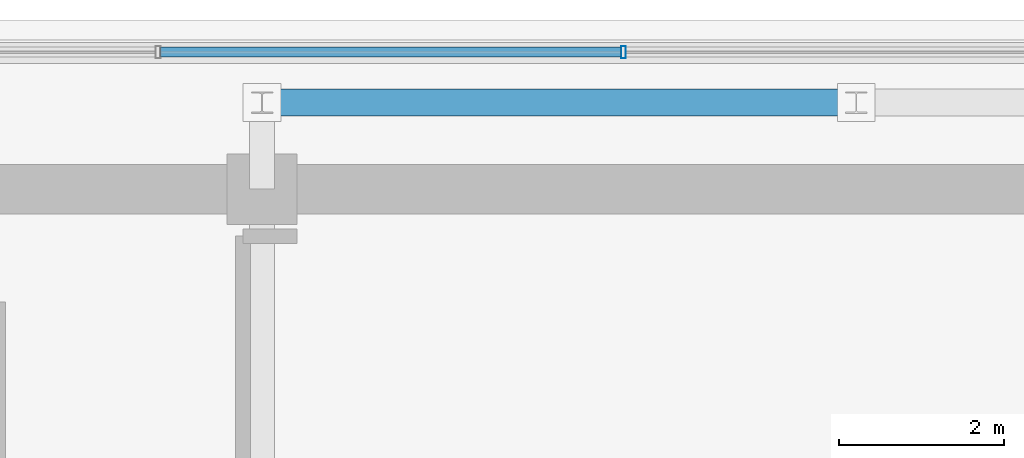
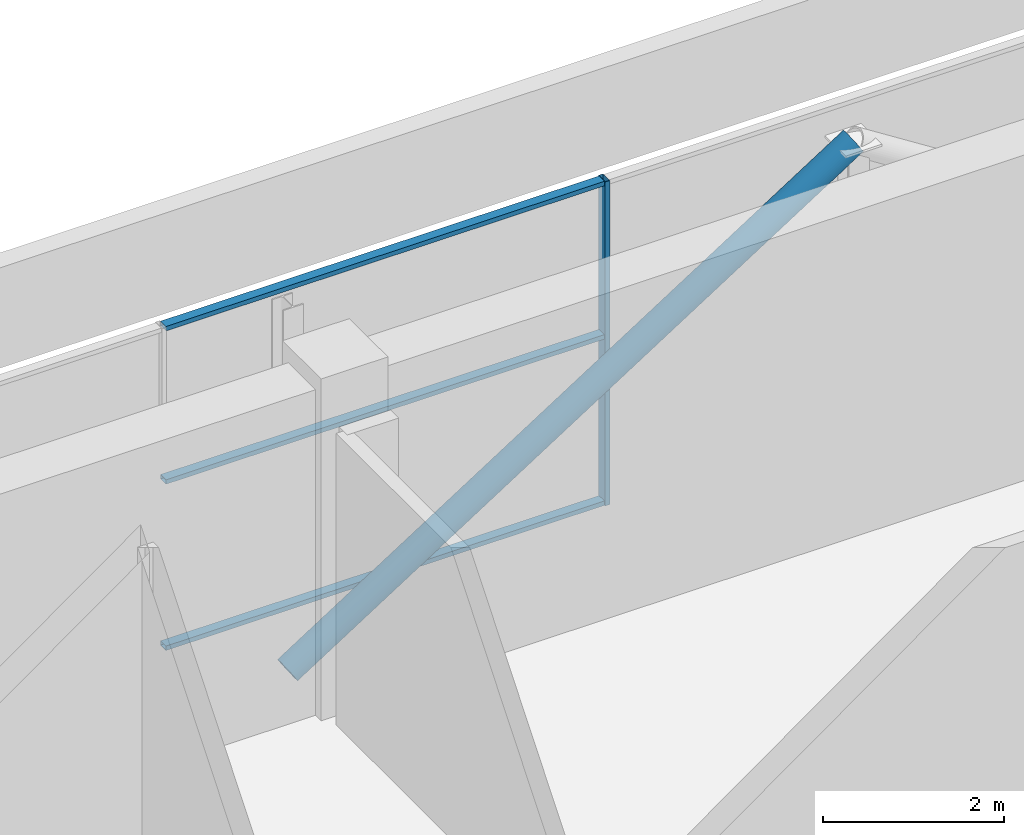
# One storey, part 14 of 22: 5 members, 1 element without a shape of its own.
"""IFC4 building model written with IfcOpenShell, lengths in metres."""

from ifc_helpers import new_model, si_unit, direction, frame, origin, origin_2d, place, context, subcontext, project, spatial, hollow_rectangle, hollow_circle, extrude, source, transform, mapped, material, layer, layer_set, material_profile, profile_set, type_object, element, aggregate, save


model = new_model("IFC4")

# Units and contexts
model_context = context("Model", 3, precision=1e-05, world=origin(), true_north=direction((0.0, 1.0)))
body_context = subcontext(model_context, "Body", "Model", "MODEL_VIEW")
ifc_project = project(units=[si_unit("LENGTHUNIT", "METRE"), si_unit("AREAUNIT", "SQUARE_METRE"), si_unit("VOLUMEUNIT", "CUBIC_METRE"), si_unit("PLANEANGLEUNIT", "RADIAN"), si_unit("MASSUNIT", "GRAM", prefix="KILO")], contexts=[model_context])

# Site, building, storey
site_placement = place(None, origin())
site = spatial("IfcSite", under=ifc_project, at=site_placement, CompositionType="ELEMENT")
building_placement = place(site_placement, origin())
building = spatial("IfcBuilding", under=site, at=building_placement, Name="Zarnakvel Exchange Tower", CompositionType="ELEMENT")
storey_placement = place(building_placement, frame((0.0, 0.0, 299.199951171875)))
storey = spatial("IfcBuildingStorey", under=building, at=storey_placement, Name="Crown L83", CompositionType="ELEMENT", Elevation=299.199951171875)

# Member
ifc_material_1 = material(Name="Steel S355", Category="steel")
ifc_material_profile_1 = material_profile(ifc_material_1, hollow_circle(Radius=0.161865234375, WallThickness=0.01611328125, at=origin_2d()))
ifc_profile_set_1 = profile_set([ifc_material_profile_1], Name="Steel S355")
member_type_1 = type_object("IfcMemberType", Name="CF-03", PredefinedType="BRACE", material=ifc_profile_set_1)
shared_shape_1 = source(origin(), body_context, "Body", "SweptSolid", [
    extrude(hollow_circle(Radius=0.161865234375, WallThickness=0.01611328125, at=origin_2d()), origin(), (0.0, 0.0, 1.0), 8.5439453125),
])
member_1_placement = place(storey_placement, frame((-7.199951171875, 14.550048828125, -0.35986328125), z_axis=(0.842702381832, 0.0, 0.53837969469), x_axis=(0.0, 1.0, 0.0)))
element("IfcMember", 1, at=member_1_placement, inside=storey, type_object=member_type_1, Name="Crown L83 Crown Chevron Brace L (CF-03)", PredefinedType="BRACE", context=body_context, shape_type="MappedRepresentation", body=[
    mapped(shared_shape_1, transform((0.0, 0.0, 0.0), x_axis=(1.0, 0.0, 0.0), y_axis=(0.0, 1.0, 0.0), z_axis=(0.0, 0.0, 1.0), scale=1.0)),
])

# Curtain wall, members
ifc_material_2 = material(Name="Architectural Bronze Anodised Aluminium", Category="aluminium")
ifc_layer = layer(ifc_material_2, 0.14990234375)
ifc_layer_set = layer_set([ifc_layer], Name="Architectural Bronze Anodised Aluminium")
curtain_wall_type = type_object("IfcCurtainWallType", Name="CW-07", PredefinedType="NOTDEFINED", material=ifc_layer_set)
curtain_wall_placement = place(storey_placement, origin())
curtain_wall = element("IfcCurtainWall", 2, at=curtain_wall_placement, inside=storey, type_object=curtain_wall_type, Name="Crown L83 Curtain Wall CW-Crown L83-N (CW-07)", PredefinedType="NOTDEFINED")
ifc_material_profile_2 = material_profile(ifc_material_2, hollow_rectangle(XDim=0.14990234375, YDim=0.06005859375, WallThickness=0.00390625, at=origin_2d()))
ifc_profile_set_2 = profile_set([ifc_material_profile_2], Name="Architectural Bronze Anodised Aluminium")
member_type_2 = type_object("IfcMemberType", Name="CWM-07", PredefinedType="MULLION", material=ifc_profile_set_2)
shared_shape_2 = source(origin(), body_context, "Body", "SweptSolid", [
    extrude(hollow_rectangle(XDim=0.14990234375, YDim=0.06005859375, WallThickness=0.00390625, at=origin_2d()), origin(), (0.0, 0.0, 1.0), 4.360107421875),
])
member_2_placement = place(storey_placement, frame((-2.820068359375, 15.159912109375, 0.0), z_axis=(0.0, 0.0, 1.0), x_axis=(0.0, 1.0, 0.0)))
member_2 = element("IfcMember", 3, at=member_2_placement, type_object=member_type_2, Name="CW-07 mullion 3", PredefinedType="MULLION", context=body_context, shape_type="MappedRepresentation", body=[
    mapped(shared_shape_2, transform((0.0, 0.0, 0.0), x_axis=(1.0, 0.0, 0.0), y_axis=(0.0, 1.0, 0.0), z_axis=(0.0, 0.0, 1.0), scale=1.0)),
])
ifc_material_profile_3 = material_profile(ifc_material_2, hollow_rectangle(XDim=0.1201171875, YDim=0.06005859375, WallThickness=0.00390625, at=origin_2d()))
ifc_profile_set_3 = profile_set([ifc_material_profile_3], Name="Architectural Bronze Anodised Aluminium")
member_type_3 = type_object("IfcMemberType", Name="CWT-07", PredefinedType="USERDEFINED", material=ifc_profile_set_3)
shared_shape_3 = source(origin(), body_context, "Body", "SweptSolid", [
    extrude(hollow_rectangle(XDim=0.1201171875, YDim=0.06005859375, WallThickness=0.00390625, at=origin_2d()), origin(), (0.0, 0.0, 1.0), 5.579833984375),
])
member_3_placement = place(storey_placement, frame((-8.429931640625, 15.159912109375, 0.030029296875), z_axis=(1.0, 0.0, 0.0), x_axis=(0.0, 1.0, 0.0)))
member_3 = element("IfcMember", 4, at=member_3_placement, type_object=member_type_3, Name="CW-07 transom 2.1", ObjectType="TRANSOM", PredefinedType="USERDEFINED", context=body_context, shape_type="MappedRepresentation", body=[
    mapped(shared_shape_3, transform((0.0, 0.0, 0.0), x_axis=(1.0, 0.0, 0.0), y_axis=(0.0, 1.0, 0.0), z_axis=(0.0, 0.0, 1.0), scale=1.0)),
])
member_4_placement = place(storey_placement, frame((-8.429931640625, 15.159912109375, 2.267333984375), z_axis=(1.0, 0.0, 0.0), x_axis=(0.0, 1.0, 0.0)))
member_4 = element("IfcMember", 5, at=member_4_placement, type_object=member_type_3, Name="CW-07 transom 2.2", ObjectType="TRANSOM", PredefinedType="USERDEFINED", context=body_context, shape_type="MappedRepresentation", body=[
    mapped(shared_shape_3, transform((0.0, 0.0, 0.0), x_axis=(1.0, 0.0, 0.0), y_axis=(0.0, 1.0, 0.0), z_axis=(0.0, 0.0, 1.0), scale=1.0)),
])
member_5_placement = place(storey_placement, frame((-8.429931640625, 15.159912109375, 4.330078125), z_axis=(1.0, 0.0, 0.0), x_axis=(0.0, 1.0, 0.0)))
member_5 = element("IfcMember", 6, at=member_5_placement, type_object=member_type_3, Name="CW-07 transom 2.3", ObjectType="TRANSOM", PredefinedType="USERDEFINED", context=body_context, shape_type="MappedRepresentation", body=[
    mapped(shared_shape_3, transform((0.0, 0.0, 0.0), x_axis=(1.0, 0.0, 0.0), y_axis=(0.0, 1.0, 0.0), z_axis=(0.0, 0.0, 1.0), scale=1.0)),
])
aggregate(curtain_wall, [member_2, member_3, member_4, member_5])

save(model, "model.ifc")
